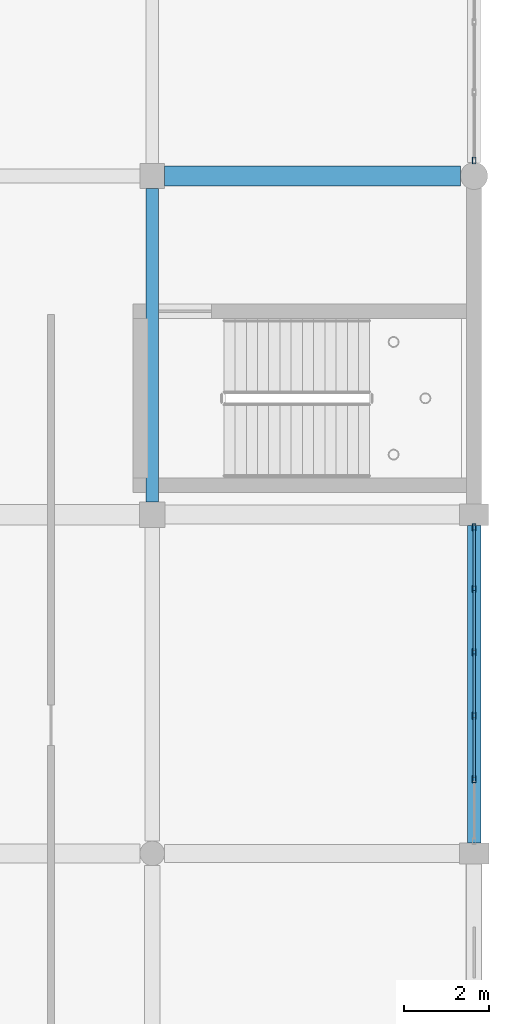
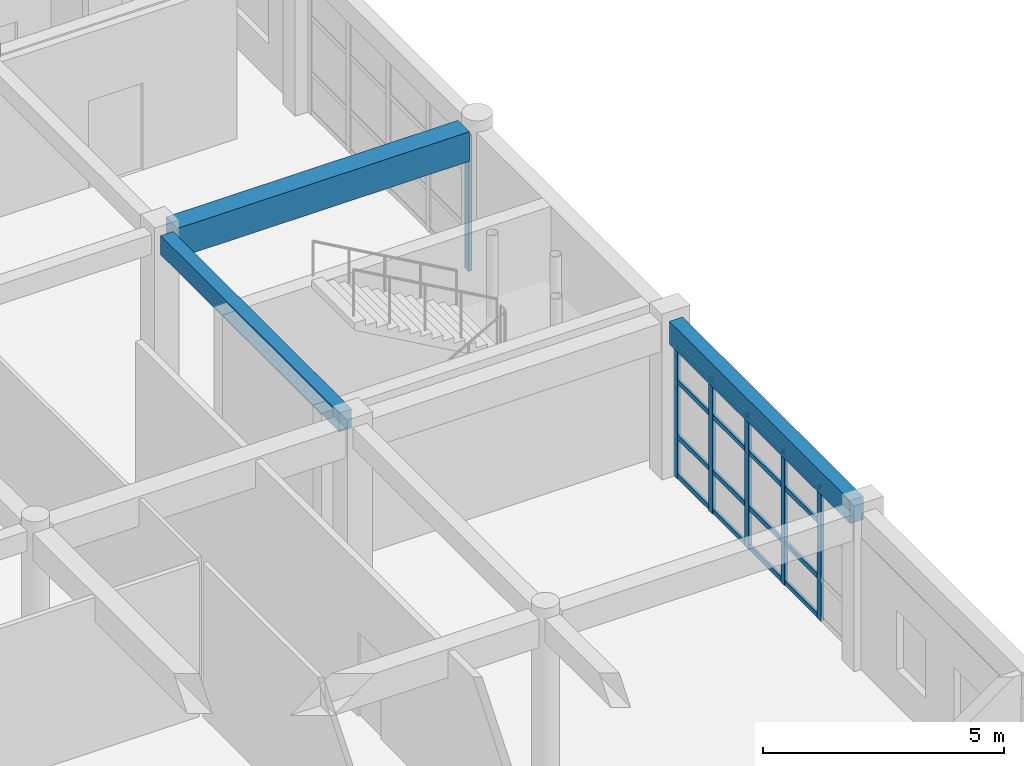
# One storey, part 79 of 121: 22 members, 3 beams, 2 elements without a shape of their own.
"""IFC4 building model written with IfcOpenShell, lengths in metres."""

from ifc_helpers import new_model, si_unit, direction, frame, origin, origin_2d, place, context, subcontext, project, spatial, rectangle, hollow_rectangle, extrude, material, material_profile, profile_set, type_object, element, aggregate, save


model = new_model("IFC4")

# Units and contexts
model_context = context("Model", 3, precision=1e-05, world=origin(), true_north=direction((0.0, 1.0)))
body_context = subcontext(model_context, "Body", "Model", "MODEL_VIEW")
ifc_project = project(units=[si_unit("LENGTHUNIT", "METRE"), si_unit("AREAUNIT", "SQUARE_METRE"), si_unit("VOLUMEUNIT", "CUBIC_METRE"), si_unit("PLANEANGLEUNIT", "RADIAN"), si_unit("MASSUNIT", "GRAM", prefix="KILO")], contexts=[model_context])

# Site, building, storey
site_placement = place(None, origin())
site = spatial("IfcSite", under=ifc_project, at=site_placement, CompositionType="ELEMENT")
building_placement = place(site_placement, origin())
building = spatial("IfcBuilding", under=site, at=building_placement, Name="Kharva Crest Polytechnic", CompositionType="ELEMENT")
storey_placement = place(building_placement, frame((0.0, 0.0, 13.199951171875)))
storey = spatial("IfcBuildingStorey", under=building, at=storey_placement, Name="L03", CompositionType="ELEMENT", Elevation=13.199951171875)

# Beams
ifc_material_1 = material(Name="Concrete C35/45", Category="concrete")
ifc_material_profile_1 = material_profile(ifc_material_1, rectangle(XDim=0.300048828125, YDim=0.47998046875, at=origin_2d()), Name="RECT 300 X 480")
ifc_profile_set_1 = profile_set([ifc_material_profile_1], Name="Concrete C35/45")
beam_type_1 = type_object("IfcBeamType", Name="BM-RC-300X480", PredefinedType="BEAM", material=ifc_profile_set_1)
beam_1_placement = place(storey_placement, frame((176.39990234375, 71.10009765625, 3.719970703125), z_axis=(0.0, 1.0, 0.0), x_axis=(-1.0, 0.0, 0.0)))
element("IfcBeam", 1, at=beam_1_placement, inside=storey, type_object=beam_type_1, Name="L03 Girder 23/K-L", PredefinedType="BEAM", context=body_context, shape_type="SweptSolid", body=[
    extrude(rectangle(XDim=0.300048828125, YDim=0.47998046875, at=origin_2d()), origin(), (0.0, 0.0, 1.0), 7.409912109375),
])
ifc_material_profile_2 = material_profile(ifc_material_1, rectangle(XDim=0.47998046875, YDim=0.75, at=origin_2d()), Name="RECT 480 X 750")
ifc_profile_set_2 = profile_set([ifc_material_profile_2], Name="Concrete C35/45")
beam_type_2 = type_object("IfcBeamType", Name="BM-RC-480X750", PredefinedType="BEAM", material=ifc_profile_set_2)
beam_2_placement = place(storey_placement, frame((176.68994140625, 78.800048828125, 3.5849609375), z_axis=(1.0, 0.0, 0.0), x_axis=(0.0, 1.0, 0.0)))
element("IfcBeam", 2, at=beam_2_placement, inside=storey, type_object=beam_type_2, Name="L03 Beam L/23-24", PredefinedType="BEAM", context=body_context, shape_type="SweptSolid", body=[
    extrude(rectangle(XDim=0.47998046875, YDim=0.75, at=origin_2d()), origin(), (0.0, 0.0, 1.0), 6.989990234375),
])

# Curtain wall, members
ifc_material_2 = material(Name="Tempered insulated glass", Category="glass")
curtain_wall_type = type_object("IfcCurtainWallType", Name="CW-SYS-COURT", PredefinedType="USERDEFINED", material=ifc_material_2)
curtain_wall_1_placement = place(storey_placement, origin())
curtain_wall_1 = element("IfcCurtainWall", 3, at=curtain_wall_1_placement, inside=storey, type_object=curtain_wall_type, Name="L03 Glazed Curtain Wall CW-150", ObjectType="CURTAIN WALL", PredefinedType="USERDEFINED")
ifc_material_3 = material(Name="Steel S355", Category="steel")
ifc_material_profile_3 = material_profile(ifc_material_3, hollow_rectangle(XDim=0.080078125, YDim=0.159912109375, WallThickness=0.0048828125, at=origin_2d()), Name="RHS 160X80X5.0")
ifc_profile_set_3 = profile_set([ifc_material_profile_3], Name="Steel S355")
member_type_1 = type_object("IfcMemberType", Name="CWM-RHS160X80", PredefinedType="MULLION", material=ifc_profile_set_3)
member_1_placement = place(storey_placement, frame((184.0, 64.552978515625, 0.0), z_axis=(0.0, 0.0, 1.0), x_axis=(-1.0, 0.0, 0.0)))
member_1 = element("IfcMember", 4, at=member_1_placement, type_object=member_type_1, Name="CW-150 mullion 2", PredefinedType="MULLION", context=body_context, shape_type="SweptSolid", body=[
    extrude(hollow_rectangle(XDim=0.080078125, YDim=0.159912109375, WallThickness=0.0048828125, at=origin_2d()), origin(), (0.0, 0.0, 1.0), 3.380126953125),
])
member_2_placement = place(storey_placement, frame((184.0, 66.051025390625, 0.0), z_axis=(0.0, 0.0, 1.0), x_axis=(-1.0, 0.0, 0.0)))
member_2 = element("IfcMember", 5, at=member_2_placement, type_object=member_type_1, Name="CW-150 mullion 3", PredefinedType="MULLION", context=body_context, shape_type="SweptSolid", body=[
    extrude(hollow_rectangle(XDim=0.080078125, YDim=0.159912109375, WallThickness=0.0048828125, at=origin_2d()), origin(), (0.0, 0.0, 1.0), 3.380126953125),
])
member_3_placement = place(storey_placement, frame((184.0, 67.549072265625, 0.0), z_axis=(0.0, 0.0, 1.0), x_axis=(-1.0, 0.0, 0.0)))
member_3 = element("IfcMember", 6, at=member_3_placement, type_object=member_type_1, Name="CW-150 mullion 4", PredefinedType="MULLION", context=body_context, shape_type="SweptSolid", body=[
    extrude(hollow_rectangle(XDim=0.080078125, YDim=0.159912109375, WallThickness=0.0048828125, at=origin_2d()), origin(), (0.0, 0.0, 1.0), 3.380126953125),
])
member_4_placement = place(storey_placement, frame((184.0, 69.047119140625, 0.0), z_axis=(0.0, 0.0, 1.0), x_axis=(-1.0, 0.0, 0.0)))
member_4 = element("IfcMember", 7, at=member_4_placement, type_object=member_type_1, Name="CW-150 mullion 5", PredefinedType="MULLION", context=body_context, shape_type="SweptSolid", body=[
    extrude(hollow_rectangle(XDim=0.080078125, YDim=0.159912109375, WallThickness=0.0048828125, at=origin_2d()), origin(), (0.0, 0.0, 1.0), 3.380126953125),
])
member_5_placement = place(storey_placement, frame((184.0, 70.5048828125, 0.0), z_axis=(0.0, 0.0, 1.0), x_axis=(-1.0, 0.0, 0.0)))
member_5 = element("IfcMember", 8, at=member_5_placement, type_object=member_type_1, Name="CW-150 mullion 6", PredefinedType="MULLION", context=body_context, shape_type="SweptSolid", body=[
    extrude(hollow_rectangle(XDim=0.080078125, YDim=0.159912109375, WallThickness=0.0048828125, at=origin_2d()), origin(), (0.0, 0.0, 1.0), 3.380126953125),
])

# Curtain wall, member
curtain_wall_2_placement = place(storey_placement, origin())
curtain_wall_2 = element("IfcCurtainWall", 9, at=curtain_wall_2_placement, inside=storey, type_object=curtain_wall_type, Name="L03 Glazed Curtain Wall CW-151", ObjectType="CURTAIN WALL", PredefinedType="USERDEFINED")
member_6_placement = place(storey_placement, frame((184.0, 79.1650390625, 0.0), z_axis=(0.0, 0.0, 1.0), x_axis=(-1.0, 0.0, 0.0)))
member_6 = element("IfcMember", 10, at=member_6_placement, type_object=member_type_1, Name="CW-151 mullion 1", PredefinedType="MULLION", context=body_context, shape_type="SweptSolid", body=[
    extrude(hollow_rectangle(XDim=0.080078125, YDim=0.159912109375, WallThickness=0.0048828125, at=origin_2d()), origin(), (0.0, 0.0, 1.0), 3.43994140625),
])
aggregate(curtain_wall_2, [member_6])

# Member
ifc_material_profile_4 = material_profile(ifc_material_3, hollow_rectangle(XDim=0.06005859375, YDim=0.1201171875, WallThickness=0.00390625, at=origin_2d()), Name="RHS 120X60X4.0")
ifc_profile_set_4 = profile_set([ifc_material_profile_4], Name="Steel S355")
member_type_2 = type_object("IfcMemberType", Name="CWT-RHS120X60", PredefinedType="USERDEFINED", material=ifc_profile_set_4)
member_7_placement = place(storey_placement, frame((184.0, 64.593017578125, 0.06005859375), z_axis=(0.0, 1.0, 0.0), x_axis=(-1.0, 0.0, 0.0)))
member_7 = element("IfcMember", 11, at=member_7_placement, type_object=member_type_2, Name="CW-150 transom 2.1", ObjectType="TRANSOM", PredefinedType="USERDEFINED", context=body_context, shape_type="SweptSolid", body=[
    extrude(hollow_rectangle(XDim=0.06005859375, YDim=0.1201171875, WallThickness=0.00390625, at=origin_2d()), origin(), (0.0, 0.0, 1.0), 1.41796875),
])

member_8_placement = place(storey_placement, frame((184.0, 64.593017578125, 1.050048828125), z_axis=(0.0, 1.0, 0.0), x_axis=(-1.0, 0.0, 0.0)))
member_8 = element("IfcMember", 12, at=member_8_placement, type_object=member_type_2, Name="CW-150 transom 2.2", ObjectType="TRANSOM", PredefinedType="USERDEFINED", context=body_context, shape_type="SweptSolid", body=[
    extrude(hollow_rectangle(XDim=0.06005859375, YDim=0.1201171875, WallThickness=0.00390625, at=origin_2d()), origin(), (0.0, 0.0, 1.0), 1.41796875),
])

member_9_placement = place(storey_placement, frame((184.0, 64.593017578125, 2.449951171875), z_axis=(0.0, 1.0, 0.0), x_axis=(-1.0, 0.0, 0.0)))
member_9 = element("IfcMember", 13, at=member_9_placement, type_object=member_type_2, Name="CW-150 transom 2.3", ObjectType="TRANSOM", PredefinedType="USERDEFINED", context=body_context, shape_type="SweptSolid", body=[
    extrude(hollow_rectangle(XDim=0.06005859375, YDim=0.1201171875, WallThickness=0.00390625, at=origin_2d()), origin(), (0.0, 0.0, 1.0), 1.41796875),
])

member_10_placement = place(storey_placement, frame((184.0, 64.593017578125, 3.320068359375), z_axis=(0.0, 1.0, 0.0), x_axis=(-1.0, 0.0, 0.0)))
member_10 = element("IfcMember", 14, at=member_10_placement, type_object=member_type_2, Name="CW-150 transom 2.4", ObjectType="TRANSOM", PredefinedType="USERDEFINED", context=body_context, shape_type="SweptSolid", body=[
    extrude(hollow_rectangle(XDim=0.06005859375, YDim=0.1201171875, WallThickness=0.00390625, at=origin_2d()), origin(), (0.0, 0.0, 1.0), 1.41796875),
])

member_11_placement = place(storey_placement, frame((184.0, 66.091064453125, 0.06005859375), z_axis=(0.0, 1.0, 0.0), x_axis=(-1.0, 0.0, 0.0)))
member_11 = element("IfcMember", 15, at=member_11_placement, type_object=member_type_2, Name="CW-150 transom 3.1", ObjectType="TRANSOM", PredefinedType="USERDEFINED", context=body_context, shape_type="SweptSolid", body=[
    extrude(hollow_rectangle(XDim=0.06005859375, YDim=0.1201171875, WallThickness=0.00390625, at=origin_2d()), origin(), (0.0, 0.0, 1.0), 1.41796875),
])

member_12_placement = place(storey_placement, frame((184.0, 66.091064453125, 1.050048828125), z_axis=(0.0, 1.0, 0.0), x_axis=(-1.0, 0.0, 0.0)))
member_12 = element("IfcMember", 16, at=member_12_placement, type_object=member_type_2, Name="CW-150 transom 3.2", ObjectType="TRANSOM", PredefinedType="USERDEFINED", context=body_context, shape_type="SweptSolid", body=[
    extrude(hollow_rectangle(XDim=0.06005859375, YDim=0.1201171875, WallThickness=0.00390625, at=origin_2d()), origin(), (0.0, 0.0, 1.0), 1.41796875),
])

member_13_placement = place(storey_placement, frame((184.0, 66.091064453125, 2.449951171875), z_axis=(0.0, 1.0, 0.0), x_axis=(-1.0, 0.0, 0.0)))
member_13 = element("IfcMember", 17, at=member_13_placement, type_object=member_type_2, Name="CW-150 transom 3.3", ObjectType="TRANSOM", PredefinedType="USERDEFINED", context=body_context, shape_type="SweptSolid", body=[
    extrude(hollow_rectangle(XDim=0.06005859375, YDim=0.1201171875, WallThickness=0.00390625, at=origin_2d()), origin(), (0.0, 0.0, 1.0), 1.41796875),
])

member_14_placement = place(storey_placement, frame((184.0, 66.091064453125, 3.320068359375), z_axis=(0.0, 1.0, 0.0), x_axis=(-1.0, 0.0, 0.0)))
member_14 = element("IfcMember", 18, at=member_14_placement, type_object=member_type_2, Name="CW-150 transom 3.4", ObjectType="TRANSOM", PredefinedType="USERDEFINED", context=body_context, shape_type="SweptSolid", body=[
    extrude(hollow_rectangle(XDim=0.06005859375, YDim=0.1201171875, WallThickness=0.00390625, at=origin_2d()), origin(), (0.0, 0.0, 1.0), 1.41796875),
])

member_15_placement = place(storey_placement, frame((184.0, 67.589111328125, 0.06005859375), z_axis=(0.0, 1.0, 0.0), x_axis=(-1.0, 0.0, 0.0)))
member_15 = element("IfcMember", 19, at=member_15_placement, type_object=member_type_2, Name="CW-150 transom 4.1", ObjectType="TRANSOM", PredefinedType="USERDEFINED", context=body_context, shape_type="SweptSolid", body=[
    extrude(hollow_rectangle(XDim=0.06005859375, YDim=0.1201171875, WallThickness=0.00390625, at=origin_2d()), origin(), (0.0, 0.0, 1.0), 1.41796875),
])

member_16_placement = place(storey_placement, frame((184.0, 67.589111328125, 1.050048828125), z_axis=(0.0, 1.0, 0.0), x_axis=(-1.0, 0.0, 0.0)))
member_16 = element("IfcMember", 20, at=member_16_placement, type_object=member_type_2, Name="CW-150 transom 4.2", ObjectType="TRANSOM", PredefinedType="USERDEFINED", context=body_context, shape_type="SweptSolid", body=[
    extrude(hollow_rectangle(XDim=0.06005859375, YDim=0.1201171875, WallThickness=0.00390625, at=origin_2d()), origin(), (0.0, 0.0, 1.0), 1.41796875),
])

member_17_placement = place(storey_placement, frame((184.0, 67.589111328125, 2.449951171875), z_axis=(0.0, 1.0, 0.0), x_axis=(-1.0, 0.0, 0.0)))
member_17 = element("IfcMember", 21, at=member_17_placement, type_object=member_type_2, Name="CW-150 transom 4.3", ObjectType="TRANSOM", PredefinedType="USERDEFINED", context=body_context, shape_type="SweptSolid", body=[
    extrude(hollow_rectangle(XDim=0.06005859375, YDim=0.1201171875, WallThickness=0.00390625, at=origin_2d()), origin(), (0.0, 0.0, 1.0), 1.41796875),
])

member_18_placement = place(storey_placement, frame((184.0, 67.589111328125, 3.320068359375), z_axis=(0.0, 1.0, 0.0), x_axis=(-1.0, 0.0, 0.0)))
member_18 = element("IfcMember", 22, at=member_18_placement, type_object=member_type_2, Name="CW-150 transom 4.4", ObjectType="TRANSOM", PredefinedType="USERDEFINED", context=body_context, shape_type="SweptSolid", body=[
    extrude(hollow_rectangle(XDim=0.06005859375, YDim=0.1201171875, WallThickness=0.00390625, at=origin_2d()), origin(), (0.0, 0.0, 1.0), 1.41796875),
])

member_19_placement = place(storey_placement, frame((184.0, 69.0869140625, 0.06005859375), z_axis=(0.0, 1.0, 0.0), x_axis=(-1.0, 0.0, 0.0)))
member_19 = element("IfcMember", 23, at=member_19_placement, type_object=member_type_2, Name="CW-150 transom 5.1", ObjectType="TRANSOM", PredefinedType="USERDEFINED", context=body_context, shape_type="SweptSolid", body=[
    extrude(hollow_rectangle(XDim=0.06005859375, YDim=0.1201171875, WallThickness=0.00390625, at=origin_2d()), origin(), (0.0, 0.0, 1.0), 1.378173828125),
])

member_20_placement = place(storey_placement, frame((184.0, 69.0869140625, 1.050048828125), z_axis=(0.0, 1.0, 0.0), x_axis=(-1.0, 0.0, 0.0)))
member_20 = element("IfcMember", 24, at=member_20_placement, type_object=member_type_2, Name="CW-150 transom 5.2", ObjectType="TRANSOM", PredefinedType="USERDEFINED", context=body_context, shape_type="SweptSolid", body=[
    extrude(hollow_rectangle(XDim=0.06005859375, YDim=0.1201171875, WallThickness=0.00390625, at=origin_2d()), origin(), (0.0, 0.0, 1.0), 1.378173828125),
])

member_21_placement = place(storey_placement, frame((184.0, 69.0869140625, 2.449951171875), z_axis=(0.0, 1.0, 0.0), x_axis=(-1.0, 0.0, 0.0)))
member_21 = element("IfcMember", 25, at=member_21_placement, type_object=member_type_2, Name="CW-150 transom 5.3", ObjectType="TRANSOM", PredefinedType="USERDEFINED", context=body_context, shape_type="SweptSolid", body=[
    extrude(hollow_rectangle(XDim=0.06005859375, YDim=0.1201171875, WallThickness=0.00390625, at=origin_2d()), origin(), (0.0, 0.0, 1.0), 1.378173828125),
])

member_22_placement = place(storey_placement, frame((184.0, 69.0869140625, 3.320068359375), z_axis=(0.0, 1.0, 0.0), x_axis=(-1.0, 0.0, 0.0)))
member_22 = element("IfcMember", 26, at=member_22_placement, type_object=member_type_2, Name="CW-150 transom 5.4", ObjectType="TRANSOM", PredefinedType="USERDEFINED", context=body_context, shape_type="SweptSolid", body=[
    extrude(hollow_rectangle(XDim=0.06005859375, YDim=0.1201171875, WallThickness=0.00390625, at=origin_2d()), origin(), (0.0, 0.0, 1.0), 1.378173828125),
])

aggregate(curtain_wall_1, [member_1, member_2, member_3, member_4, member_5, member_7, member_8, member_9, member_10, member_11, member_12, member_13, member_14, member_15, member_16, member_17, member_18, member_19, member_20, member_21, member_22])

# Beam
ifc_material_profile_5 = material_profile(ifc_material_1, rectangle(XDim=0.320068359375, YDim=0.580078125, at=origin_2d()), Name="RECT 320 X 580")
ifc_profile_set_5 = profile_set([ifc_material_profile_5], Name="Concrete C35/45")
beam_type_3 = type_object("IfcBeamType", Name="SP-RC-320X580", PredefinedType="SPANDREL", material=ifc_profile_set_5)
beam_3_placement = place(storey_placement, frame((184.0, 63.050048828125, 3.670166015625), z_axis=(0.0, 1.0, 0.0), x_axis=(-1.0, 0.0, 0.0)))
element("IfcBeam", 27, at=beam_3_placement, inside=storey, type_object=beam_type_3, Name="L03 Girder 24/J-K", PredefinedType="SPANDREL", context=body_context, shape_type="SweptSolid", body=[
    extrude(rectangle(XDim=0.320068359375, YDim=0.580078125, at=origin_2d()), origin(), (0.0, 0.0, 1.0), 7.5),
])

save(model, "model.ifc")
